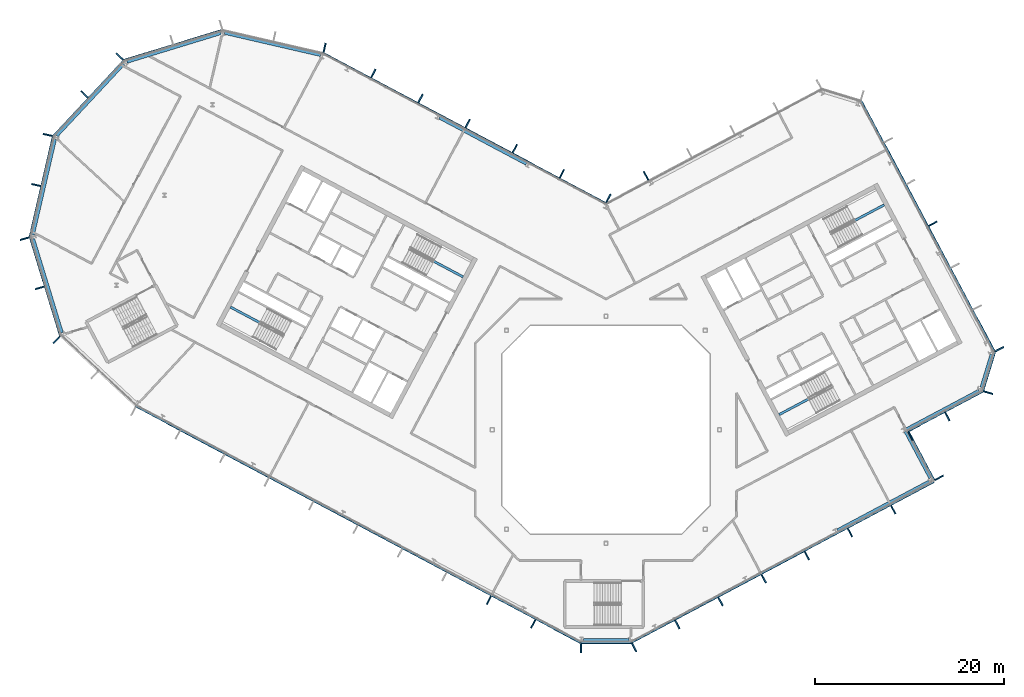
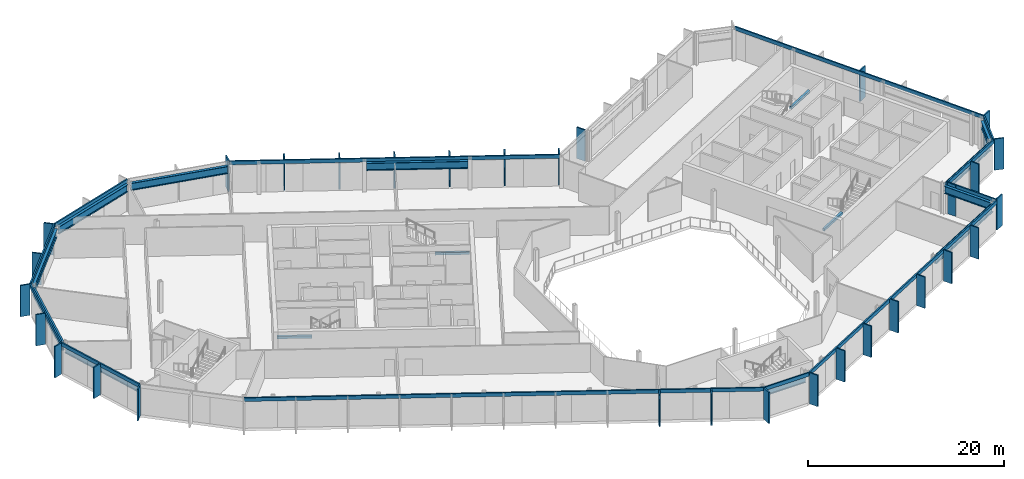
# One storey, part 9 of 25: 43 members, 15 beams, 15 elements without a shape of their own.
"""IFC4 building model written with IfcOpenShell, lengths in metres."""

from ifc_helpers import new_model, si_unit, direction, frame, origin, origin_2d, place, context, subcontext, project, spatial, rectangle, i_section, extrude, material, layer, layer_set, material_profile, profile_set, type_object, element, aggregate, save


model = new_model("IFC4")

# Units and contexts
model_context = context("Model", 3, precision=1e-05, world=origin(), true_north=direction((0.0, 1.0)))
body_context = subcontext(model_context, "Body", "Model", "MODEL_VIEW")
ifc_project = project(units=[si_unit("LENGTHUNIT", "METRE"), si_unit("AREAUNIT", "SQUARE_METRE"), si_unit("VOLUMEUNIT", "CUBIC_METRE"), si_unit("PLANEANGLEUNIT", "RADIAN"), si_unit("MASSUNIT", "GRAM", prefix="KILO")], contexts=[model_context])

# Site, building, storey
site_placement = place(None, origin())
site = spatial("IfcSite", under=ifc_project, at=site_placement, CompositionType="ELEMENT")
building_placement = place(site_placement, origin())
building = spatial("IfcBuilding", under=site, at=building_placement, Name="Cormorant Relay Tower", CompositionType="ELEMENT")
storey_placement = place(building_placement, frame((0.0, 0.0, 281.39990234375)))
storey = spatial("IfcBuildingStorey", under=building, at=storey_placement, Name="L63", CompositionType="ELEMENT", Elevation=281.39990234375)

# Curtain wall, member
ifc_material_1 = material(Name="Aluminium 6063-T6 anodised bronze", Category="aluminium")
ifc_layer = layer(ifc_material_1, 0.199951171875)
ifc_layer_set = layer_set([ifc_layer], Name="CW1 unitised bronze curtain wall with vertical fins")
curtain_wall_type = type_object("IfcCurtainWallType", Name="CW1 unitised bronze curtain wall with vertical fins", PredefinedType="NOTDEFINED", material=ifc_layer_set)
curtain_wall_1_placement = place(storey_placement, origin())
curtain_wall_1 = element("IfcCurtainWall", 1, at=curtain_wall_1_placement, inside=storey, type_object=curtain_wall_type, Name="CW1 curtain wall 1", PredefinedType="NOTDEFINED")
ifc_material_2 = material(Name="Aluminium 6063-T6 anodised bronze", Category="aluminium")
ifc_material_profile_1 = material_profile(ifc_material_2, rectangle(XDim=0.14990234375, YDim=1.0, at=origin_2d()), Name="AL 150x1000")
ifc_profile_set_1 = profile_set([ifc_material_profile_1], Name="Aluminium 6063-T6 anodised bronze")
member_type_1 = type_object("IfcMemberType", Name="CW1 bronze fin mullion 150 x 1000", PredefinedType="MULLION", material=ifc_profile_set_1)
member_1_placement = place(storey_placement, frame((-2.648681640625, -23.07568359375, 0.0), z_axis=(0.0, 0.0, 1.0), x_axis=(1.0, 0.0, 0.0)))
member_1 = element("IfcMember", 2, at=member_1_placement, type_object=member_type_1, Name="CW1 fin 1.1", PredefinedType="MULLION", context=body_context, shape_type="SweptSolid", body=[
    extrude(rectangle(XDim=0.14990234375, YDim=1.0, at=origin_2d()), origin(), (0.0, 0.0, 1.0), 3.900146484375),
])

# Curtain wall, members
curtain_wall_2_placement = place(storey_placement, origin())
curtain_wall_2 = element("IfcCurtainWall", 3, at=curtain_wall_2_placement, inside=storey, type_object=curtain_wall_type, Name="CW1 curtain wall 2", PredefinedType="NOTDEFINED")
member_2_placement = place(storey_placement, frame((2.9775390625, -22.99365234375, 0.0), z_axis=(0.0, 0.0, 1.0), x_axis=(0.882947592859, 0.469471562786, 0.0)))
member_2 = element("IfcMember", 4, at=member_2_placement, type_object=member_type_1, Name="CW1 fin 2.1", PredefinedType="MULLION", context=body_context, shape_type="SweptSolid", body=[
    extrude(rectangle(XDim=0.14990234375, YDim=1.0, at=origin_2d()), origin(), (0.0, 0.0, 1.0), 3.900146484375),
])
member_3_placement = place(storey_placement, frame((7.539306640625, -20.568115234375, 0.0), z_axis=(0.0, 0.0, 1.0), x_axis=(0.882947592859, 0.469471562786, 0.0)))
member_3 = element("IfcMember", 5, at=member_3_placement, type_object=member_type_1, Name="CW1 fin 2.2", PredefinedType="MULLION", context=body_context, shape_type="SweptSolid", body=[
    extrude(rectangle(XDim=0.14990234375, YDim=1.0, at=origin_2d()), origin(), (0.0, 0.0, 1.0), 3.900146484375),
])
member_4_placement = place(storey_placement, frame((12.10107421875, -18.142578125, 0.0), z_axis=(0.0, 0.0, 1.0), x_axis=(0.882947592859, 0.469471562786, 0.0)))
member_4 = element("IfcMember", 6, at=member_4_placement, type_object=member_type_1, Name="CW1 fin 2.3", PredefinedType="MULLION", context=body_context, shape_type="SweptSolid", body=[
    extrude(rectangle(XDim=0.14990234375, YDim=1.0, at=origin_2d()), origin(), (0.0, 0.0, 1.0), 3.900146484375),
])
member_5_placement = place(storey_placement, frame((16.662841796875, -15.717041015625, 0.0), z_axis=(0.0, 0.0, 1.0), x_axis=(0.882947592859, 0.469471562786, 0.0)))
member_5 = element("IfcMember", 7, at=member_5_placement, type_object=member_type_1, Name="CW1 fin 2.4", PredefinedType="MULLION", context=body_context, shape_type="SweptSolid", body=[
    extrude(rectangle(XDim=0.14990234375, YDim=1.0, at=origin_2d()), origin(), (0.0, 0.0, 1.0), 3.900146484375),
])
member_6_placement = place(storey_placement, frame((21.224609375, -13.29150390625, 0.0), z_axis=(0.0, 0.0, 1.0), x_axis=(0.882947592859, 0.469471562786, 0.0)))
member_6 = element("IfcMember", 8, at=member_6_placement, type_object=member_type_1, Name="CW1 fin 2.5", PredefinedType="MULLION", context=body_context, shape_type="SweptSolid", body=[
    extrude(rectangle(XDim=0.14990234375, YDim=1.0, at=origin_2d()), origin(), (0.0, 0.0, 1.0), 3.900146484375),
])
member_7_placement = place(storey_placement, frame((25.78662109375, -10.865966796875, 0.0), z_axis=(0.0, 0.0, 1.0), x_axis=(0.882947592859, 0.469471562786, 0.0)))
member_7 = element("IfcMember", 9, at=member_7_placement, type_object=member_type_1, Name="CW1 fin 2.6", PredefinedType="MULLION", context=body_context, shape_type="SweptSolid", body=[
    extrude(rectangle(XDim=0.14990234375, YDim=1.0, at=origin_2d()), origin(), (0.0, 0.0, 1.0), 3.900146484375),
])
member_8_placement = place(storey_placement, frame((30.348388671875, -8.440185546875, 0.0), z_axis=(0.0, 0.0, 1.0), x_axis=(0.882947592859, 0.469471562786, 0.0)))
member_8 = element("IfcMember", 10, at=member_8_placement, type_object=member_type_1, Name="CW1 fin 2.7", PredefinedType="MULLION", context=body_context, shape_type="SweptSolid", body=[
    extrude(rectangle(XDim=0.14990234375, YDim=1.0, at=origin_2d()), origin(), (0.0, 0.0, 1.0), 3.900146484375),
])

# Curtain wall, member
curtain_wall_3_placement = place(storey_placement, origin())
curtain_wall_3 = element("IfcCurtainWall", 11, at=curtain_wall_3_placement, inside=storey, type_object=curtain_wall_type, Name="CW1 curtain wall 3", PredefinedType="NOTDEFINED")
member_9_placement = place(storey_placement, frame((35.199462890625, -5.068115234375, 0.0), z_axis=(0.0, 0.0, 1.0), x_axis=(-0.469471562786, 0.882947592859, 0.0)))
member_9 = element("IfcMember", 12, at=member_9_placement, type_object=member_type_1, Name="CW1 fin 3.1", PredefinedType="MULLION", context=body_context, shape_type="SweptSolid", body=[
    extrude(rectangle(XDim=0.14990234375, YDim=1.0, at=origin_2d()), origin(), (0.0, 0.0, 1.0), 3.900146484375),
])

# Curtain wall, members
curtain_wall_4_placement = place(storey_placement, origin())
curtain_wall_4 = element("IfcCurtainWall", 13, at=curtain_wall_4_placement, inside=storey, type_object=curtain_wall_type, Name="CW1 curtain wall 4", PredefinedType="NOTDEFINED")
member_10_placement = place(storey_placement, frame((32.159423828125, -0.681884765625, 0.0), z_axis=(0.0, 0.0, 1.0), x_axis=(0.882947592859, 0.469471562786, 0.0)))
member_10 = element("IfcMember", 14, at=member_10_placement, type_object=member_type_1, Name="CW1 fin 4.1", PredefinedType="MULLION", context=body_context, shape_type="SweptSolid", body=[
    extrude(rectangle(XDim=0.14990234375, YDim=1.0, at=origin_2d()), origin(), (0.0, 0.0, 1.0), 3.900146484375),
])
member_11_placement = place(storey_placement, frame((36.06640625, 1.3955078125, 0.0), z_axis=(0.0, 0.0, 1.0), x_axis=(0.882947592859, 0.469471562786, 0.0)))
member_11 = element("IfcMember", 15, at=member_11_placement, type_object=member_type_1, Name="CW1 fin 4.2", PredefinedType="MULLION", context=body_context, shape_type="SweptSolid", body=[
    extrude(rectangle(XDim=0.14990234375, YDim=1.0, at=origin_2d()), origin(), (0.0, 0.0, 1.0), 3.900146484375),
])

# Curtain wall, member
curtain_wall_5_placement = place(storey_placement, origin())
curtain_wall_5 = element("IfcCurtainWall", 16, at=curtain_wall_5_placement, inside=storey, type_object=curtain_wall_type, Name="CW1 curtain wall 5", PredefinedType="NOTDEFINED")
member_12_placement = place(storey_placement, frame((40.380615234375, 3.921630859375, 0.0), z_axis=(0.0, 0.0, 1.0), x_axis=(0.292371704723, 0.956304755963, 0.0)))
member_12 = element("IfcMember", 17, at=member_12_placement, type_object=member_type_1, Name="CW1 fin 5.1", PredefinedType="MULLION", context=body_context, shape_type="SweptSolid", body=[
    extrude(rectangle(XDim=0.14990234375, YDim=1.0, at=origin_2d()), origin(), (0.0, 0.0, 1.0), 3.900146484375),
])

# Curtain wall, members
curtain_wall_6_placement = place(storey_placement, origin())
curtain_wall_6 = element("IfcCurtainWall", 18, at=curtain_wall_6_placement, inside=storey, type_object=curtain_wall_type, Name="CW1 curtain wall 6", PredefinedType="NOTDEFINED")
member_13_placement = place(storey_placement, frame((41.569580078125, 8.51220703125, 0.0), z_axis=(0.0, 0.0, 1.0), x_axis=(-0.469471562786, 0.882947592859, 0.0)))
member_13 = element("IfcMember", 19, at=member_13_placement, type_object=member_type_1, Name="CW1 fin 6.1", PredefinedType="MULLION", context=body_context, shape_type="SweptSolid", body=[
    extrude(rectangle(XDim=0.14990234375, YDim=1.0, at=origin_2d()), origin(), (0.0, 0.0, 1.0), 3.900146484375),
])
member_14_placement = place(storey_placement, frame((34.527587890625, 21.75634765625, 0.0), z_axis=(0.0, 0.0, 1.0), x_axis=(-0.469471562786, 0.882947592859, 0.0)))
member_14 = element("IfcMember", 20, at=member_14_placement, type_object=member_type_1, Name="CW1 fin 6.4", PredefinedType="MULLION", context=body_context, shape_type="SweptSolid", body=[
    extrude(rectangle(XDim=0.14990234375, YDim=1.0, at=origin_2d()), origin(), (0.0, 0.0, 1.0), 3.900146484375),
])

# Curtain wall, member
curtain_wall_7_placement = place(storey_placement, origin())
curtain_wall_7 = element("IfcCurtainWall", 21, at=curtain_wall_7_placement, inside=storey, type_object=curtain_wall_type, Name="CW1 curtain wall 8", PredefinedType="NOTDEFINED")
member_15_placement = place(storey_placement, frame((4.2333984375, 26.82763671875, 0.0), z_axis=(0.0, 0.0, 1.0), x_axis=(-0.882947592859, -0.469471562786, 0.0)))
member_15 = element("IfcMember", 22, at=member_15_placement, type_object=member_type_1, Name="CW1 fin 8.5", PredefinedType="MULLION", context=body_context, shape_type="SweptSolid", body=[
    extrude(rectangle(XDim=0.14990234375, YDim=1.0, at=origin_2d()), origin(), (0.0, 0.0, 1.0), 3.900146484375),
])
aggregate(curtain_wall_7, [member_15])

# Curtain wall, members
curtain_wall_8_placement = place(storey_placement, origin())
curtain_wall_8 = element("IfcCurtainWall", 23, at=curtain_wall_8_placement, inside=storey, type_object=curtain_wall_type, Name="CW1 curtain wall 9", PredefinedType="NOTDEFINED")
member_16_placement = place(storey_placement, frame((0.262451171875, 24.437255859375, 0.0), z_axis=(0.0, 0.0, 1.0), x_axis=(-0.882947592859, 0.469471562786, 0.0)))
member_16 = element("IfcMember", 24, at=member_16_placement, type_object=member_type_1, Name="CW1 fin 9.1", PredefinedType="MULLION", context=body_context, shape_type="SweptSolid", body=[
    extrude(rectangle(XDim=0.14990234375, YDim=1.0, at=origin_2d()), origin(), (0.0, 0.0, 1.0), 3.900146484375),
])
member_17_placement = place(storey_placement, frame((-4.650390625, 27.04931640625, 0.0), z_axis=(0.0, 0.0, 1.0), x_axis=(-0.882947592859, 0.469471562786, 0.0)))
member_17 = element("IfcMember", 25, at=member_17_placement, type_object=member_type_1, Name="CW1 fin 9.2", PredefinedType="MULLION", context=body_context, shape_type="SweptSolid", body=[
    extrude(rectangle(XDim=0.14990234375, YDim=1.0, at=origin_2d()), origin(), (0.0, 0.0, 1.0), 3.900146484375),
])
member_18_placement = place(storey_placement, frame((-9.62939453125, 29.69677734375, 0.0), z_axis=(0.0, 0.0, 1.0), x_axis=(-0.882947592859, 0.469471562786, 0.0)))
member_18 = element("IfcMember", 26, at=member_18_placement, type_object=member_type_1, Name="CW1 fin 9.3", PredefinedType="MULLION", context=body_context, shape_type="SweptSolid", body=[
    extrude(rectangle(XDim=0.14990234375, YDim=1.0, at=origin_2d()), origin(), (0.0, 0.0, 1.0), 3.900146484375),
])
member_19_placement = place(storey_placement, frame((-14.608154296875, 32.343994140625, 0.0), z_axis=(0.0, 0.0, 1.0), x_axis=(-0.882947592859, 0.469471562786, 0.0)))
member_19 = element("IfcMember", 27, at=member_19_placement, type_object=member_type_1, Name="CW1 fin 9.4", PredefinedType="MULLION", context=body_context, shape_type="SweptSolid", body=[
    extrude(rectangle(XDim=0.14990234375, YDim=1.0, at=origin_2d()), origin(), (0.0, 0.0, 1.0), 3.900146484375),
])
member_20_placement = place(storey_placement, frame((-19.587158203125, 34.991455078125, 0.0), z_axis=(0.0, 0.0, 1.0), x_axis=(-0.882947592859, 0.469471562786, 0.0)))
member_20 = element("IfcMember", 28, at=member_20_placement, type_object=member_type_1, Name="CW1 fin 9.5", PredefinedType="MULLION", context=body_context, shape_type="SweptSolid", body=[
    extrude(rectangle(XDim=0.14990234375, YDim=1.0, at=origin_2d()), origin(), (0.0, 0.0, 1.0), 3.900146484375),
])
member_21_placement = place(storey_placement, frame((-24.566162109375, 37.638916015625, 0.0), z_axis=(0.0, 0.0, 1.0), x_axis=(-0.882947592859, 0.469471562786, 0.0)))
member_21 = element("IfcMember", 29, at=member_21_placement, type_object=member_type_1, Name="CW1 fin 9.6", PredefinedType="MULLION", context=body_context, shape_type="SweptSolid", body=[
    extrude(rectangle(XDim=0.14990234375, YDim=1.0, at=origin_2d()), origin(), (0.0, 0.0, 1.0), 3.900146484375),
])

# Curtain wall, member
curtain_wall_9_placement = place(storey_placement, origin())
curtain_wall_9 = element("IfcCurtainWall", 30, at=curtain_wall_9_placement, inside=storey, type_object=curtain_wall_type, Name="CW1 curtain wall 10", PredefinedType="NOTDEFINED")
member_22_placement = place(storey_placement, frame((-29.71630859375, 40.35009765625, 0.0), z_axis=(0.0, 0.0, 1.0), x_axis=(-0.974370064785, 0.224951054344, 0.0)))
member_22 = element("IfcMember", 31, at=member_22_placement, type_object=member_type_1, Name="CW1 fin 10.1", PredefinedType="MULLION", context=body_context, shape_type="SweptSolid", body=[
    extrude(rectangle(XDim=0.14990234375, YDim=1.0, at=origin_2d()), origin(), (0.0, 0.0, 1.0), 3.900146484375),
])
aggregate(curtain_wall_9, [member_22])

# Curtain wall, members
curtain_wall_10_placement = place(storey_placement, origin())
curtain_wall_10 = element("IfcCurtainWall", 32, at=curtain_wall_10_placement, inside=storey, type_object=curtain_wall_type, Name="CW1 curtain wall 12", PredefinedType="NOTDEFINED")
member_23_placement = place(storey_placement, frame((-51.372802734375, 39.41259765625, 0.0), z_axis=(0.0, 0.0, 1.0), x_axis=(-0.681998360062, -0.731353701619, 0.0)))
member_23 = element("IfcMember", 33, at=member_23_placement, type_object=member_type_1, Name="CW1 fin 12.1", PredefinedType="MULLION", context=body_context, shape_type="SweptSolid", body=[
    extrude(rectangle(XDim=0.14990234375, YDim=1.0, at=origin_2d()), origin(), (0.0, 0.0, 1.0), 3.900146484375),
])
member_24_placement = place(storey_placement, frame((-55.07958984375, 35.4375, 0.0), z_axis=(0.0, 0.0, 1.0), x_axis=(-0.681998360062, -0.731353701619, 0.0)))
member_24 = element("IfcMember", 34, at=member_24_placement, type_object=member_type_1, Name="CW1 fin 12.2", PredefinedType="MULLION", context=body_context, shape_type="SweptSolid", body=[
    extrude(rectangle(XDim=0.14990234375, YDim=1.0, at=origin_2d()), origin(), (0.0, 0.0, 1.0), 3.900146484375),
])

curtain_wall_11_placement = place(storey_placement, origin())
curtain_wall_11 = element("IfcCurtainWall", 35, at=curtain_wall_11_placement, inside=storey, type_object=curtain_wall_type, Name="CW1 curtain wall 13", PredefinedType="NOTDEFINED")
member_25_placement = place(storey_placement, frame((-58.95654296875, 31.142578125, 0.0), z_axis=(0.0, 0.0, 1.0), x_axis=(-0.224951054344, -0.974370064785, 0.0)))
member_25 = element("IfcMember", 36, at=member_25_placement, type_object=member_type_1, Name="CW1 fin 13.1", PredefinedType="MULLION", context=body_context, shape_type="SweptSolid", body=[
    extrude(rectangle(XDim=0.14990234375, YDim=1.0, at=origin_2d()), origin(), (0.0, 0.0, 1.0), 3.900146484375),
])
member_26_placement = place(storey_placement, frame((-60.17919921875, 25.8466796875, 0.0), z_axis=(0.0, 0.0, 1.0), x_axis=(-0.224951054344, -0.974370064785, 0.0)))
member_26 = element("IfcMember", 37, at=member_26_placement, type_object=member_type_1, Name="CW1 fin 13.2", PredefinedType="MULLION", context=body_context, shape_type="SweptSolid", body=[
    extrude(rectangle(XDim=0.14990234375, YDim=1.0, at=origin_2d()), origin(), (0.0, 0.0, 1.0), 3.900146484375),
])

curtain_wall_12_placement = place(storey_placement, origin())
curtain_wall_12 = element("IfcCurtainWall", 38, at=curtain_wall_12_placement, inside=storey, type_object=curtain_wall_type, Name="CW1 curtain wall 14", PredefinedType="NOTDEFINED")
member_27_placement = place(storey_placement, frame((-61.389404296875, 20.188720703125, 0.0), z_axis=(0.0, 0.0, 1.0), x_axis=(0.292371704723, -0.956304755963, 0.0)))
member_27 = element("IfcMember", 39, at=member_27_placement, type_object=member_type_1, Name="CW1 fin 14.1", PredefinedType="MULLION", context=body_context, shape_type="SweptSolid", body=[
    extrude(rectangle(XDim=0.14990234375, YDim=1.0, at=origin_2d()), origin(), (0.0, 0.0, 1.0), 3.900146484375),
])
member_28_placement = place(storey_placement, frame((-59.80029296875, 14.990966796875, 0.0), z_axis=(0.0, 0.0, 1.0), x_axis=(0.292371704723, -0.956304755963, 0.0)))
member_28 = element("IfcMember", 40, at=member_28_placement, type_object=member_type_1, Name="CW1 fin 14.2", PredefinedType="MULLION", context=body_context, shape_type="SweptSolid", body=[
    extrude(rectangle(XDim=0.14990234375, YDim=1.0, at=origin_2d()), origin(), (0.0, 0.0, 1.0), 3.900146484375),
])

# Curtain wall, member
curtain_wall_13_placement = place(storey_placement, origin())
curtain_wall_13 = element("IfcCurtainWall", 41, at=curtain_wall_13_placement, inside=storey, type_object=curtain_wall_type, Name="CW1 curtain wall 15", PredefinedType="NOTDEFINED")
member_29_placement = place(storey_placement, frame((-58.01904296875, 9.486083984375, 0.0), z_axis=(0.0, 0.0, 1.0), x_axis=(0.731353701619, -0.681998360062, 0.0)))
member_29 = element("IfcMember", 42, at=member_29_placement, type_object=member_type_1, Name="CW1 fin 15.1", PredefinedType="MULLION", context=body_context, shape_type="SweptSolid", body=[
    extrude(rectangle(XDim=0.14990234375, YDim=1.0, at=origin_2d()), origin(), (0.0, 0.0, 1.0), 3.900146484375),
])
aggregate(curtain_wall_13, [member_29])

# Curtain wall, members
curtain_wall_14_placement = place(storey_placement, origin())
curtain_wall_14 = element("IfcCurtainWall", 43, at=curtain_wall_14_placement, inside=storey, type_object=curtain_wall_type, Name="CW1 curtain wall 16", PredefinedType="NOTDEFINED")
member_30_placement = place(storey_placement, frame((-12.365966796875, -18.001708984375, 0.0), z_axis=(0.0, 0.0, 1.0), x_axis=(0.882947592859, -0.469471562786, 0.0)))
member_30 = element("IfcMember", 44, at=member_30_placement, type_object=member_type_1, Name="CW1 fin 16.9", PredefinedType="MULLION", context=body_context, shape_type="SweptSolid", body=[
    extrude(rectangle(XDim=0.14990234375, YDim=1.0, at=origin_2d()), origin(), (0.0, 0.0, 1.0), 3.900146484375),
])
member_31_placement = place(storey_placement, frame((-7.671630859375, -20.49755859375, 0.0), z_axis=(0.0, 0.0, 1.0), x_axis=(0.882947592859, -0.469471562786, 0.0)))
member_31 = element("IfcMember", 45, at=member_31_placement, type_object=member_type_1, Name="CW1 fin 16.10", PredefinedType="MULLION", context=body_context, shape_type="SweptSolid", body=[
    extrude(rectangle(XDim=0.14990234375, YDim=1.0, at=origin_2d()), origin(), (0.0, 0.0, 1.0), 3.900146484375),
])

# Member
ifc_material_3 = material(Name="Aluminium 6063-T6 anodised bronze", Category="aluminium")
ifc_material_profile_2 = material_profile(ifc_material_3, rectangle(XDim=0.159912109375, YDim=0.449951171875, at=origin_2d()), Name="AL 160x450")
ifc_profile_set_2 = profile_set([ifc_material_profile_2], Name="Aluminium 6063-T6 anodised bronze")
member_type_2 = type_object("IfcMemberType", Name="CW1 bronze transom 160 x 450", PredefinedType="USERDEFINED", material=ifc_profile_set_2)
member_32_placement = place(storey_placement, frame((-2.648681640625, -22.49560546875, 3.675048828125), z_axis=(1.0, 0.0, 0.0), x_axis=(0.0, 1.0, 0.0)))
member_32 = element("IfcMember", 46, at=member_32_placement, type_object=member_type_2, Name="CW1 transom 1", ObjectType="TRANSOM", PredefinedType="USERDEFINED", context=body_context, shape_type="SweptSolid", body=[
    extrude(rectangle(XDim=0.159912109375, YDim=0.449951171875, at=origin_2d()), origin(), (0.0, 0.0, 1.0), 5.29736328125),
])

aggregate(curtain_wall_1, [member_1, member_32])

member_33_placement = place(storey_placement, frame((2.705078125, -22.4814453125, 3.675048828125), z_axis=(0.882948899141, 0.469469106018, 0.0), x_axis=(-0.469469106018, 0.882948899141, 0.0)))
member_33 = element("IfcMember", 47, at=member_33_placement, type_object=member_type_2, Name="CW1 transom 2", ObjectType="TRANSOM", PredefinedType="USERDEFINED", context=body_context, shape_type="SweptSolid", body=[
    extrude(rectangle(XDim=0.159912109375, YDim=0.449951171875, at=origin_2d()), origin(), (0.0, 0.0, 1.0), 36.165771484375),
])

aggregate(curtain_wall_2, [member_2, member_3, member_4, member_5, member_6, member_7, member_8, member_33])

member_34_placement = place(storey_placement, frame((34.6875, -5.34033203125, 3.675048828125), z_axis=(-0.469485426614, 0.882940221191, 0.0), x_axis=(-0.882940221191, -0.469485426614, 0.0)))
member_34 = element("IfcMember", 48, at=member_34_placement, type_object=member_type_2, Name="CW1 transom 3", ObjectType="TRANSOM", PredefinedType="USERDEFINED", context=body_context, shape_type="SweptSolid", body=[
    extrude(rectangle(XDim=0.159912109375, YDim=0.449951171875, at=origin_2d()), origin(), (0.0, 0.0, 1.0), 6.0),
])

aggregate(curtain_wall_3, [member_9, member_34])

member_35_placement = place(storey_placement, frame((31.82080078125, -0.205078125, 3.675048828125), z_axis=(0.882949189538, 0.469468559857, 0.0), x_axis=(-0.469468559857, 0.882949189538, 0.0)))
member_35 = element("IfcMember", 49, at=member_35_placement, type_object=member_type_2, Name="CW1 transom 4", ObjectType="TRANSOM", PredefinedType="USERDEFINED", context=body_context, shape_type="SweptSolid", body=[
    extrude(rectangle(XDim=0.159912109375, YDim=0.449951171875, at=origin_2d()), origin(), (0.0, 0.0, 1.0), 9.000244140625),
])

aggregate(curtain_wall_4, [member_10, member_11, member_35])

member_36_placement = place(storey_placement, frame((39.825927734375, 4.091064453125, 3.675048828125), z_axis=(0.292374957137, 0.956303761594, 0.0), x_axis=(-0.956303761594, 0.292374957137, 0.0)))
member_36 = element("IfcMember", 50, at=member_36_placement, type_object=member_type_2, Name="CW1 transom 5", ObjectType="TRANSOM", PredefinedType="USERDEFINED", context=body_context, shape_type="SweptSolid", body=[
    extrude(rectangle(XDim=0.159912109375, YDim=0.449951171875, at=origin_2d()), origin(), (0.0, 0.0, 1.0), 4.24267578125),
])

aggregate(curtain_wall_5, [member_12, member_36])

member_37_placement = place(storey_placement, frame((41.0576171875, 8.23974609375, 3.675048828125), z_axis=(-0.469472335483, 0.882947182008, 0.0), x_axis=(-0.882947182008, -0.469472335483, 0.0)))
member_37 = element("IfcMember", 51, at=member_37_placement, type_object=member_type_2, Name="CW1 transom 6", ObjectType="TRANSOM", PredefinedType="USERDEFINED", context=body_context, shape_type="SweptSolid", body=[
    extrude(rectangle(XDim=0.159912109375, YDim=0.449951171875, at=origin_2d()), origin(), (0.0, 0.0, 1.0), 30.000244140625),
])

aggregate(curtain_wall_6, [member_13, member_14, member_37])

member_38_placement = place(storey_placement, frame((0.056396484375, 23.889892578125, 3.675048828125), z_axis=(-0.882946280328, 0.46947403129, 0.0), x_axis=(-0.46947403129, -0.882946280328, 0.0)))
member_38 = element("IfcMember", 52, at=member_38_placement, type_object=member_type_2, Name="CW1 transom 9", ObjectType="TRANSOM", PredefinedType="USERDEFINED", context=body_context, shape_type="SweptSolid", body=[
    extrude(rectangle(XDim=0.159912109375, YDim=0.449951171875, at=origin_2d()), origin(), (0.0, 0.0, 1.0), 33.834228515625),
])

aggregate(curtain_wall_8, [member_16, member_17, member_18, member_19, member_20, member_21, member_38])

# Curtain wall, member
curtain_wall_15_placement = place(storey_placement, origin())
curtain_wall_15 = element("IfcCurtainWall", 53, at=curtain_wall_15_placement, inside=storey, type_object=curtain_wall_type, Name="CW1 curtain wall 11", PredefinedType="NOTDEFINED")
member_39_placement = place(storey_placement, frame((-40.50048828125, 42.228271484375, 3.675048828125), z_axis=(-0.956304833932, -0.292371449698, 0.0), x_axis=(0.292371449698, -0.956304833932, 0.0)))
member_39 = element("IfcMember", 54, at=member_39_placement, type_object=member_type_2, Name="CW1 transom 11", ObjectType="TRANSOM", PredefinedType="USERDEFINED", context=body_context, shape_type="SweptSolid", body=[
    extrude(rectangle(XDim=0.159912109375, YDim=0.449951171875, at=origin_2d()), origin(), (0.0, 0.0, 1.0), 10.87060546875),
])
aggregate(curtain_wall_15, [member_39])

# Member
member_40_placement = place(storey_placement, frame((-50.94873046875, 39.01708984375, 3.675048828125), z_axis=(-0.681993299437, -0.731358420696, 0.0), x_axis=(0.731358420696, -0.681993299437, 0.0)))
member_40 = element("IfcMember", 55, at=member_40_placement, type_object=member_type_2, Name="CW1 transom 12", ObjectType="TRANSOM", PredefinedType="USERDEFINED", context=body_context, shape_type="SweptSolid", body=[
    extrude(rectangle(XDim=0.159912109375, YDim=0.449951171875, at=origin_2d()), origin(), (0.0, 0.0, 1.0), 10.870361328125),
])

aggregate(curtain_wall_10, [member_23, member_24, member_40])

member_41_placement = place(storey_placement, frame((-58.3916015625, 31.01220703125, 3.675048828125), z_axis=(-0.22495136131, -0.974369993916, 0.0), x_axis=(0.974369993916, -0.22495136131, 0.0)))
member_41 = element("IfcMember", 56, at=member_41_placement, type_object=member_type_2, Name="CW1 transom 13", ObjectType="TRANSOM", PredefinedType="USERDEFINED", context=body_context, shape_type="SweptSolid", body=[
    extrude(rectangle(XDim=0.159912109375, YDim=0.449951171875, at=origin_2d()), origin(), (0.0, 0.0, 1.0), 10.870361328125),
])

aggregate(curtain_wall_11, [member_25, member_26, member_41])

member_42_placement = place(storey_placement, frame((-60.834716796875, 20.358154296875, 3.675048828125), z_axis=(0.292377729282, -0.95630291405, 0.0), x_axis=(0.95630291405, 0.292377729282, 0.0)))
member_42 = element("IfcMember", 57, at=member_42_placement, type_object=member_type_2, Name="CW1 transom 14", ObjectType="TRANSOM", PredefinedType="USERDEFINED", context=body_context, shape_type="SweptSolid", body=[
    extrude(rectangle(XDim=0.159912109375, YDim=0.449951171875, at=origin_2d()), origin(), (0.0, 0.0, 1.0), 10.870361328125),
])

aggregate(curtain_wall_12, [member_27, member_28, member_42])

member_43_placement = place(storey_placement, frame((-49.64794921875, 2.478515625, 3.675048828125), z_axis=(0.882947642542, -0.469471469346, 0.0), x_axis=(0.469471469346, 0.882947642542, 0.0)))
member_43 = element("IfcMember", 58, at=member_43_placement, type_object=member_type_2, Name="CW1 transom 16", ObjectType="TRANSOM", PredefinedType="USERDEFINED", context=body_context, shape_type="SweptSolid", body=[
    extrude(rectangle(XDim=0.159912109375, YDim=0.449951171875, at=origin_2d()), origin(), (0.0, 0.0, 1.0), 53.166015625),
])

aggregate(curtain_wall_14, [member_30, member_31, member_43])

# Beams
ifc_material_4 = material(Name="Steel ASTM A992 (Fy 345 MPa)", Category="steel")
ifc_material_profile_3 = material_profile(ifc_material_4, i_section(OverallWidth=0.307373046875, OverallDepth=0.927001953125, WebThickness=0.019287109375, FlangeThickness=0.031982421875, FilletRadius=0.01904296875, at=origin_2d()), Name="W920x289")
ifc_profile_set_3 = profile_set([ifc_material_profile_3], Name="Steel ASTM A992 (Fy 345 MPa)")
beam_type_1 = type_object("IfcBeamType", Name="Spandrel W920x289", PredefinedType="SPANDREL", material=ifc_profile_set_3)
beam_1_placement = place(storey_placement, frame((-2.377197265625, -22.221923828125, 3.076416015625), z_axis=(1.0, 0.0, 0.0), x_axis=(0.0, 1.0, 0.0)))
element("IfcBeam", 59, at=beam_1_placement, inside=storey, type_object=beam_type_1, Name="Spandrel beam L63-001", PredefinedType="SPANDREL", context=body_context, shape_type="SweptSolid", body=[
    extrude(i_section(OverallWidth=0.307373046875, OverallDepth=0.927001953125, WebThickness=0.019287109375, FlangeThickness=0.031982421875, FilletRadius=0.01904296875, at=origin_2d()), origin(), (0.0, 0.0, 1.0), 4.79541015625),
])
beam_2_placement = place(storey_placement, frame((24.44287109375, -10.61328125, 3.076416015625), z_axis=(0.882957797597, 0.469452369961, 0.0), x_axis=(-0.469452369961, 0.882957797597, 0.0)))
element("IfcBeam", 60, at=beam_2_placement, inside=storey, type_object=beam_type_1, Name="Spandrel beam L63-002", PredefinedType="SPANDREL", context=body_context, shape_type="SweptSolid", body=[
    extrude(i_section(OverallWidth=0.307373046875, OverallDepth=0.927001953125, WebThickness=0.019287109375, FlangeThickness=0.031982421875, FilletRadius=0.01904296875, at=origin_2d()), origin(), (0.0, 0.0, 1.0), 10.992431640625),
])
beam_3_placement = place(storey_placement, frame((34.254638671875, -5.109619140625, 3.076416015625), z_axis=(-0.469457325339, 0.882955162897, 0.0), x_axis=(-0.882955162897, -0.469457325339, 0.0)))
element("IfcBeam", 61, at=beam_3_placement, inside=storey, type_object=beam_type_1, Name="Spandrel beam L63-003", PredefinedType="SPANDREL", context=body_context, shape_type="SweptSolid", body=[
    extrude(i_section(OverallWidth=0.307373046875, OverallDepth=0.927001953125, WebThickness=0.019287109375, FlangeThickness=0.031982421875, FilletRadius=0.01904296875, at=origin_2d()), origin(), (0.0, 0.0, 1.0), 5.593017578125),
])
beam_4_placement = place(storey_placement, frame((31.6923828125, 0.03662109375, 3.076416015625), z_axis=(0.882943393008, 0.469479461472, 0.0), x_axis=(-0.469479461472, 0.882943393008, 0.0)))
element("IfcBeam", 62, at=beam_4_placement, inside=storey, type_object=beam_type_1, Name="Spandrel beam L63-004", PredefinedType="SPANDREL", context=body_context, shape_type="SweptSolid", body=[
    extrude(i_section(OverallWidth=0.307373046875, OverallDepth=0.927001953125, WebThickness=0.019287109375, FlangeThickness=0.031982421875, FilletRadius=0.01904296875, at=origin_2d()), origin(), (0.0, 0.0, 1.0), 8.734375),
])
beam_5_placement = place(storey_placement, frame((39.6591796875, 4.4814453125, 3.076416015625), z_axis=(0.292323829151, 0.956319391684, 0.0), x_axis=(-0.956319391684, 0.292323829151, 0.0)))
element("IfcBeam", 63, at=beam_5_placement, inside=storey, type_object=beam_type_1, Name="Spandrel beam L63-005", PredefinedType="SPANDREL", context=body_context, shape_type="SweptSolid", body=[
    extrude(i_section(OverallWidth=0.307373046875, OverallDepth=0.927001953125, WebThickness=0.019287109375, FlangeThickness=0.031982421875, FilletRadius=0.01904296875, at=origin_2d()), origin(), (0.0, 0.0, 1.0), 3.652099609375),
])
beam_6_placement = place(storey_placement, frame((-8.401611328125, 28.0771484375, 3.076416015625), z_axis=(-0.882945471565, 0.469475552338, 0.0), x_axis=(-0.469475552338, -0.882945471565, 0.0)))
element("IfcBeam", 64, at=beam_6_placement, inside=storey, type_object=beam_type_1, Name="Spandrel beam L63-009", PredefinedType="SPANDREL", context=body_context, shape_type="SweptSolid", body=[
    extrude(i_section(OverallWidth=0.307373046875, OverallDepth=0.927001953125, WebThickness=0.019287109375, FlangeThickness=0.031982421875, FilletRadius=0.01904296875, at=origin_2d()), origin(), (0.0, 0.0, 1.0), 10.401123046875),
])
beam_7_placement = place(storey_placement, frame((-30.138427734375, 39.571533203125, 3.076416015625), z_axis=(-0.97437021882, 0.224950387145, 0.0), x_axis=(-0.224950387145, -0.97437021882, 0.0)))
element("IfcBeam", 65, at=beam_7_placement, inside=storey, type_object=beam_type_1, Name="Spandrel beam L63-010", PredefinedType="SPANDREL", context=body_context, shape_type="SweptSolid", body=[
    extrude(i_section(OverallWidth=0.307373046875, OverallDepth=0.927001953125, WebThickness=0.019287109375, FlangeThickness=0.031982421875, FilletRadius=0.01904296875, at=origin_2d()), origin(), (0.0, 0.0, 1.0), 10.3984375),
])
beam_8_placement = place(storey_placement, frame((-40.68505859375, 41.8857421875, 3.076416015625), z_axis=(-0.956304903575, -0.292371221906, 0.0), x_axis=(0.292371221906, -0.956304903575, 0.0)))
element("IfcBeam", 66, at=beam_8_placement, inside=storey, type_object=beam_type_1, Name="Spandrel beam L63-011", PredefinedType="SPANDREL", context=body_context, shape_type="SweptSolid", body=[
    extrude(i_section(OverallWidth=0.307373046875, OverallDepth=0.927001953125, WebThickness=0.019287109375, FlangeThickness=0.031982421875, FilletRadius=0.01904296875, at=origin_2d()), origin(), (0.0, 0.0, 1.0), 10.358642578125),
])
beam_9_placement = place(storey_placement, frame((-50.9375, 38.627685546875, 3.076416015625), z_axis=(-0.682009982741, -0.731342863124, 0.0), x_axis=(0.731342863124, -0.682009982741, 0.0)))
element("IfcBeam", 67, at=beam_9_placement, inside=storey, type_object=beam_type_1, Name="Spandrel beam L63-012", PredefinedType="SPANDREL", context=body_context, shape_type="SweptSolid", body=[
    extrude(i_section(OverallWidth=0.307373046875, OverallDepth=0.927001953125, WebThickness=0.019287109375, FlangeThickness=0.031982421875, FilletRadius=0.01904296875, at=origin_2d()), origin(), (0.0, 0.0, 1.0), 10.35791015625),
])
beam_10_placement = place(storey_placement, frame((-58.18701171875, 30.680908203125, 3.076416015625), z_axis=(-0.224955895786, -0.974368947038, 0.0), x_axis=(0.974368947038, -0.224955895786, 0.0)))
element("IfcBeam", 68, at=beam_10_placement, inside=storey, type_object=beam_type_1, Name="Spandrel beam L63-013", PredefinedType="SPANDREL", context=body_context, shape_type="SweptSolid", body=[
    extrude(i_section(OverallWidth=0.307373046875, OverallDepth=0.927001953125, WebThickness=0.019287109375, FlangeThickness=0.031982421875, FilletRadius=0.01904296875, at=origin_2d()), origin(), (0.0, 0.0, 1.0), 10.359130859375),
])
beam_11_placement = place(storey_placement, frame((-60.49169921875, 20.1728515625, 3.076416015625), z_axis=(0.292367651593, -0.95630599512, 0.0), x_axis=(0.95630599512, 0.292367651593, 0.0)))
element("IfcBeam", 69, at=beam_11_placement, inside=storey, type_object=beam_type_1, Name="Spandrel beam L63-014", PredefinedType="SPANDREL", context=body_context, shape_type="SweptSolid", body=[
    extrude(i_section(OverallWidth=0.307373046875, OverallDepth=0.927001953125, WebThickness=0.019287109375, FlangeThickness=0.031982421875, FilletRadius=0.01904296875, at=origin_2d()), origin(), (0.0, 0.0, 1.0), 10.357177734375),
])
ifc_material_5 = material(Name="Concrete 50 MPa", Category="concrete")
ifc_material_profile_4 = material_profile(ifc_material_5, rectangle(XDim=0.25, YDim=0.300048828125, at=origin_2d()), Name="RC 250x300")
ifc_profile_set_4 = profile_set([ifc_material_profile_4], Name="Concrete 50 MPa")
beam_type_2 = type_object("IfcBeamType", Name="Stair landing ledge beam 250x300", PredefinedType="BEAM", material=ifc_profile_set_4)
beam_12_placement = place(storey_placement, frame((-18.219482421875, 17.813720703125, 1.60009765625), z_axis=(0.882950035608, -0.469466968614, 0.0), x_axis=(0.469466968614, 0.882950035608, 0.0)))
element("IfcBeam", 70, at=beam_12_placement, inside=storey, type_object=beam_type_2, Name="A1 landing ledge beam", PredefinedType="BEAM", context=body_context, shape_type="SweptSolid", body=[
    extrude(rectangle(XDim=0.25, YDim=0.300048828125, at=origin_2d()), origin(), (0.0, 0.0, 1.0), 3.5498046875),
])
for number, where, z_axis, x_axis, name in (
    (71, (-36.523193359375, 11.29345703125, 1.60009765625), (-0.88293668587, 0.469492075273, 0.0), (-0.469492075273, -0.88293668587, 0.0), "A2 landing ledge beam"),
    (72, (21.4248046875, 3.265380859375, 1.60009765625), (-0.88296519247, -0.469438461235, 0.0), (0.469438461235, -0.88296519247, 0.0), "B1 landing ledge beam"),
    (73, (26.25439453125, 22.0859375, 1.60009765625), (0.88296519247, 0.469438461235, 0.0), (-0.469438461235, 0.88296519247, 0.0), "B2 landing ledge beam"),
):
    element("IfcBeam", number, at=place(storey_placement, frame(where, z_axis=z_axis, x_axis=x_axis)), inside=storey, type_object=beam_type_2, Name=name, PredefinedType="BEAM", context=body_context, shape_type="SweptSolid", body=[
        extrude(rectangle(XDim=0.25, YDim=0.300048828125, at=origin_2d()), origin(), (0.0, 0.0, 1.0), 3.550048828125),
    ])

save(model, "model.ifc")
